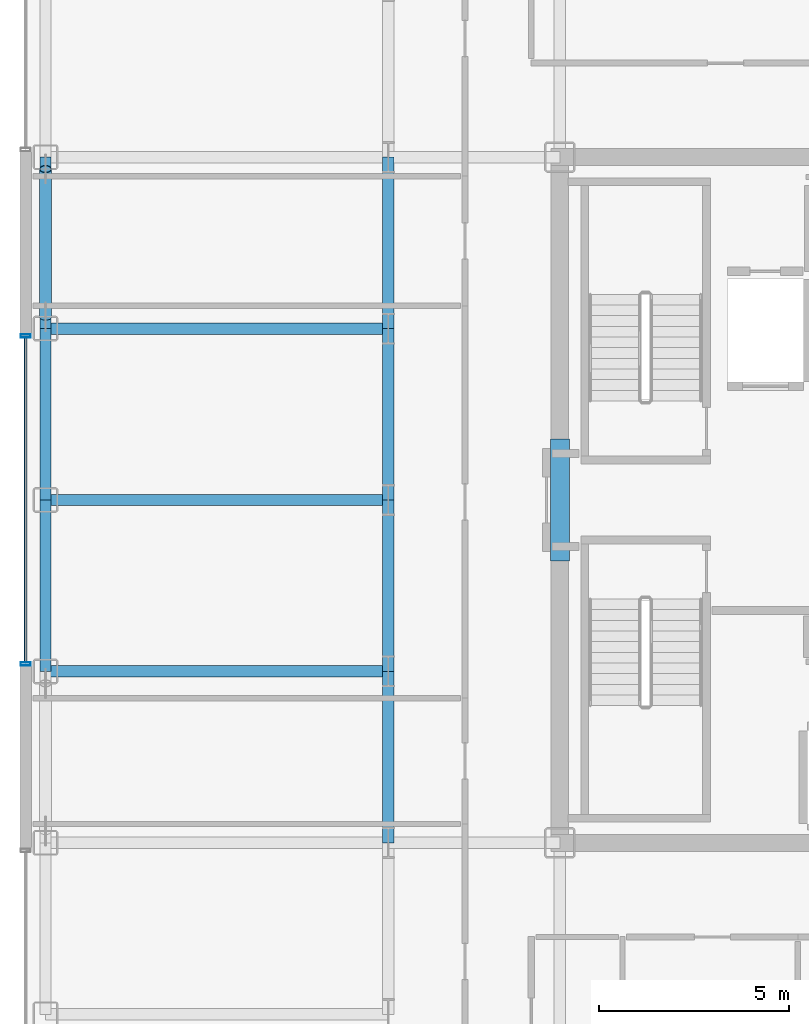
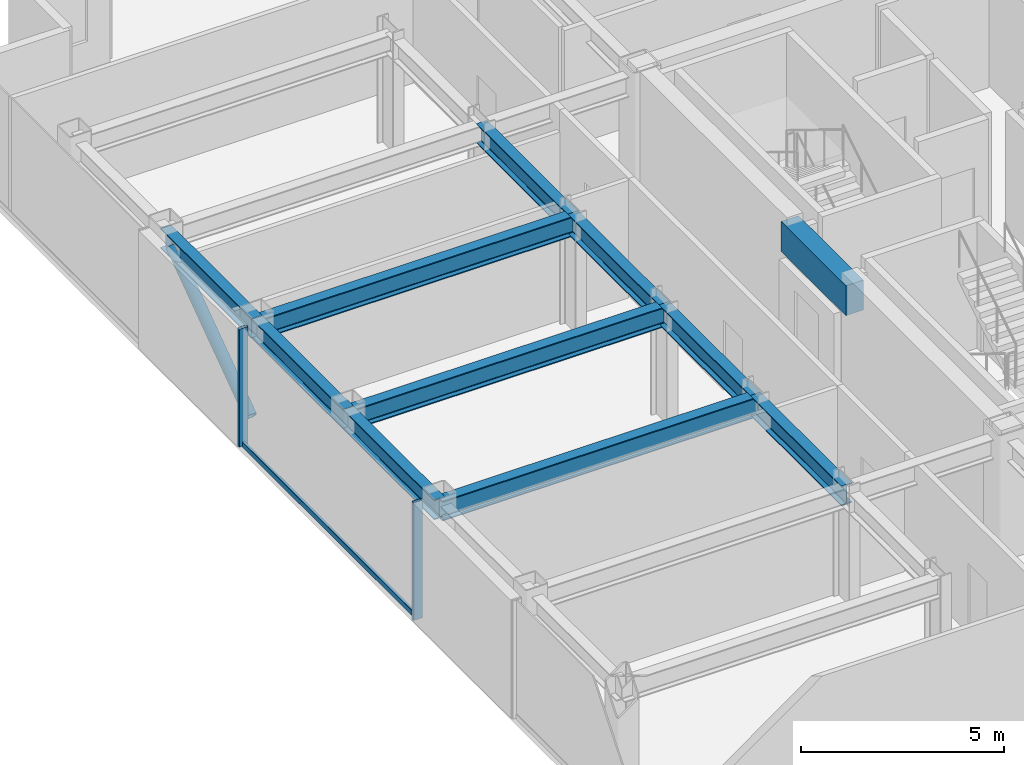
# One storey, part 5 of 21: 11 beams, 4 members, 1 element without a shape of its own.
"""IFC4 building model written with IfcOpenShell, lengths in metres."""

from ifc_helpers import new_model, si_unit, direction, frame, origin, origin_2d, place, context, subcontext, project, spatial, rectangle, hollow_rectangle, hollow_circle, i_section, extrude, source, transform, mapped, material, layer, layer_set, material_profile, profile_set, type_object, element, aggregate, save


model = new_model("IFC4")

# Units and contexts
model_context = context("Model", 3, precision=1e-05, world=origin(), true_north=direction((0.0, 1.0)))
body_context = subcontext(model_context, "Body", "Model", "MODEL_VIEW")
ifc_project = project(units=[si_unit("LENGTHUNIT", "METRE"), si_unit("AREAUNIT", "SQUARE_METRE"), si_unit("VOLUMEUNIT", "CUBIC_METRE"), si_unit("PLANEANGLEUNIT", "RADIAN"), si_unit("MASSUNIT", "GRAM", prefix="KILO")], contexts=[model_context])

# Site, building, storey
site_placement = place(None, origin())
site = spatial("IfcSite", under=ifc_project, at=site_placement, CompositionType="ELEMENT")
building_placement = place(site_placement, origin())
building = spatial("IfcBuilding", under=site, at=building_placement, Name="Nefas-Gora Pilgrimage Tower", CompositionType="ELEMENT")
storey_placement = place(building_placement, frame((0.0, 0.0, 229.39990234375)))
storey = spatial("IfcBuildingStorey", under=building, at=storey_placement, Name="L57", CompositionType="ELEMENT", Elevation=229.39990234375)

# Beams
ifc_material_1 = material(Name="Concrete C50/60", Category="concrete")
ifc_material_profile_1 = material_profile(ifc_material_1, rectangle(XDim=0.5, YDim=0.89990234375, at=origin_2d()), Name="RC 500x900")
ifc_profile_set_1 = profile_set([ifc_material_profile_1], Name="Concrete C50/60")
beam_type_1 = type_object("IfcBeamType", Name="BM-LIN-RC900", PredefinedType="LINTEL", material=ifc_profile_set_1)
shared_shape_1 = source(origin(), body_context, "Body", "SweptSolid", [
    extrude(rectangle(XDim=0.5, YDim=0.89990234375, at=origin_2d()), origin(), (0.0, 0.0, 1.0), 3.2001953125),
])
beam_placement = place(storey_placement, frame((-11.25, -1.60009765625, 3.10009765625), z_axis=(0.0, 1.0, 0.0), x_axis=(-1.0, 0.0, 0.0)))
element("IfcBeam", 1, at=beam_placement, inside=storey, type_object=beam_type_1, Name="L57 Core Coupling Lintel Beam W", PredefinedType="LINTEL", context=body_context, shape_type="MappedRepresentation", body=[
    mapped(shared_shape_1, transform((0.0, 0.0, 0.0), x_axis=(1.0, 0.0, 0.0), y_axis=(0.0, 1.0, 0.0), z_axis=(0.0, 0.0, 1.0), scale=1.0)),
])
ifc_material_2 = material(Name="Steel S355", Category="steel")
ifc_material_profile_2 = material_profile(ifc_material_2, i_section(OverallWidth=0.300048828125, OverallDepth=0.60009765625, WebThickness=0.015380859375, FlangeThickness=0.030029296875, FilletRadius=0.027099609375, at=origin_2d()), Name="HEB 600")
ifc_profile_set_2 = profile_set([ifc_material_profile_2], Name="Steel S355")
beam_type_2 = type_object("IfcBeamType", Name="BM-SPN-HEB450", PredefinedType="SPANDREL", material=ifc_profile_set_2)
shared_shape_2 = source(origin(), body_context, "Body", "SweptSolid", [
    extrude(i_section(OverallWidth=0.300048828125, OverallDepth=0.60009765625, WebThickness=0.015380859375, FlangeThickness=0.030029296875, FilletRadius=0.027099609375, at=origin_2d()), origin(), (0.0, 0.0, 1.0), 4.5),
])
for number, where, z_axis, x_axis, name in (
    (2, (-24.75, -4.5, 3.25), (0.0, 1.0, 0.0), (-1.0, 0.0, 0.0), "L57 SP-03 beam"),
    (3, (-24.75, 0.0, 3.25), (0.0, 1.0, 0.0), (-1.0, 0.0, 0.0), "L57 SP-03 beam"),
    (4, (-24.75, 4.5, 3.25), (0.0, 1.0, 0.0), (-1.0, 0.0, 0.0), "L57 SP-03 beam"),
):
    element("IfcBeam", number, at=place(storey_placement, frame(where, z_axis=z_axis, x_axis=x_axis)), inside=storey, type_object=beam_type_2, Name=name, PredefinedType="SPANDREL", context=body_context, shape_type="MappedRepresentation", body=[
        mapped(shared_shape_2, transform((0.0, 0.0, 0.0), x_axis=(1.0, 0.0, 0.0), y_axis=(0.0, 1.0, 0.0), z_axis=(0.0, 0.0, 1.0), scale=1.0)),
    ])
ifc_material_profile_3 = material_profile(ifc_material_2, i_section(OverallWidth=0.300048828125, OverallDepth=0.60009765625, WebThickness=0.015380859375, FlangeThickness=0.030029296875, FilletRadius=0.027099609375, at=origin_2d()), Name="HEB 600")
ifc_profile_set_3 = profile_set([ifc_material_profile_3], Name="Steel S355")
beam_type_3 = type_object("IfcBeamType", Name="BM-GIR-HEB600", PredefinedType="BEAM", material=ifc_profile_set_3)
shared_shape_3 = source(origin(), body_context, "Body", "SweptSolid", [
    extrude(i_section(OverallWidth=0.300048828125, OverallDepth=0.60009765625, WebThickness=0.015380859375, FlangeThickness=0.030029296875, FilletRadius=0.027099609375, at=origin_2d()), origin(), (0.0, 0.0, 1.0), 9.0),
])
for number, where, z_axis, x_axis, name in (
    (5, (-24.75, -4.5, 3.25), (1.0, 0.0, 0.0), (0.0, 1.0, 0.0), "L57 G-04 beam"),
    (6, (-24.75, 0.0, 3.25), (1.0, 0.0, 0.0), (0.0, 1.0, 0.0), "L57 G-04 beam"),
    (7, (-24.75, 4.5, 3.25), (1.0, 0.0, 0.0), (0.0, 1.0, 0.0), "L57 G-04 beam"),
):
    element("IfcBeam", number, at=place(storey_placement, frame(where, z_axis=z_axis, x_axis=x_axis)), inside=storey, type_object=beam_type_3, Name=name, PredefinedType="BEAM", context=body_context, shape_type="MappedRepresentation", body=[
        mapped(shared_shape_3, transform((0.0, 0.0, 0.0), x_axis=(1.0, 0.0, 0.0), y_axis=(0.0, 1.0, 0.0), z_axis=(0.0, 0.0, 1.0), scale=1.0)),
    ])
shared_shape_4 = source(origin(), body_context, "Body", "SweptSolid", [
    extrude(i_section(OverallWidth=0.300048828125, OverallDepth=0.60009765625, WebThickness=0.015380859375, FlangeThickness=0.030029296875, FilletRadius=0.027099609375, at=origin_2d()), origin(), (0.0, 0.0, 1.0), 4.5),
])
for number, where, z_axis, x_axis, name in (
    (8, (-15.75, -9.0, 3.25), (0.0, 1.0, 0.0), (-1.0, 0.0, 0.0), "L57 G-04 beam"),
    (9, (-15.75, -4.5, 3.25), (0.0, 1.0, 0.0), (-1.0, 0.0, 0.0), "L57 G-04 beam"),
    (10, (-15.75, 0.0, 3.25), (0.0, 1.0, 0.0), (-1.0, 0.0, 0.0), "L57 G-04 beam"),
    (11, (-15.75, 4.5, 3.25), (0.0, 1.0, 0.0), (-1.0, 0.0, 0.0), "L57 G-04 beam"),
):
    element("IfcBeam", number, at=place(storey_placement, frame(where, z_axis=z_axis, x_axis=x_axis)), inside=storey, type_object=beam_type_3, Name=name, PredefinedType="BEAM", context=body_context, shape_type="MappedRepresentation", body=[
        mapped(shared_shape_4, transform((0.0, 0.0, 0.0), x_axis=(1.0, 0.0, 0.0), y_axis=(0.0, 1.0, 0.0), z_axis=(0.0, 0.0, 1.0), scale=1.0)),
    ])

# Member
ifc_material_profile_4 = material_profile(ifc_material_2, hollow_circle(Radius=0.161865234375, WallThickness=0.02001953125, at=origin_2d()), Name="CHS 323.9x20")
ifc_profile_set_4 = profile_set([ifc_material_profile_4], Name="Steel S355")
member_type_1 = type_object("IfcMemberType", Name="MEM-TUBE-324", PredefinedType="BRACE", material=ifc_profile_set_4)
shared_shape_5 = source(origin(), body_context, "Body", "SweptSolid", [
    extrude(hollow_circle(Radius=0.161865234375, WallThickness=0.02001953125, at=origin_2d()), origin(), (0.0, 0.0, 1.0), 4.763671875),
])
member_1_placement = place(storey_placement, frame((-24.75, 4.81298828125, 0.3740234375), z_axis=(0.0, 0.813255312614, 0.581907034246), x_axis=(-1.0, 0.0, 0.0)))
element("IfcMember", 12, at=member_1_placement, inside=storey, type_object=member_type_1, Name="L57 Perimeter Tube Diagonal Brace W2", PredefinedType="BRACE", context=body_context, shape_type="MappedRepresentation", body=[
    mapped(shared_shape_5, transform((0.0, 0.0, 0.0), x_axis=(1.0, 0.0, 0.0), y_axis=(0.0, 1.0, 0.0), z_axis=(0.0, 0.0, 1.0), scale=1.0)),
])

# Curtain wall, members
ifc_material_3 = material(Name="Dark ceramic-fritted solar-control aluminium-glass curtain wall", Category="aluminium")
ifc_layer = layer(ifc_material_3, 0.219970703125)
ifc_layer_set = layer_set([ifc_layer], Name="Dark ceramic-fritted solar-control aluminium-glass curtain wall")
curtain_wall_type = type_object("IfcCurtainWallType", Name="CW-SYS-3", PredefinedType="NOTDEFINED", material=ifc_layer_set)
curtain_wall_placement = place(storey_placement, origin())
curtain_wall = element("IfcCurtainWall", 13, at=curtain_wall_placement, inside=storey, type_object=curtain_wall_type, Name="L57 Unitised Curtain Wall CW3", PredefinedType="NOTDEFINED")
ifc_material_4 = material(Name="Anodised architectural aluminium", Category="aluminium")
ifc_material_profile_5 = material_profile(ifc_material_4, hollow_rectangle(XDim=0.090087890625, YDim=0.260009765625, WallThickness=0.006103515625, InnerFilletRadius=0.006103515625, OuterFilletRadius=0.011962890625, at=origin_2d()), Name="ALU MULLION 90x260")
ifc_profile_set_5 = profile_set([ifc_material_profile_5], Name="Anodised architectural aluminium")
member_type_2 = type_object("IfcMemberType", Name="CWM-MUL-3", PredefinedType="MULLION", material=ifc_profile_set_5)
shared_shape_6 = source(origin(), body_context, "Body", "SweptSolid", [
    extrude(hollow_rectangle(XDim=0.090087890625, YDim=0.260009765625, WallThickness=0.006103515625, InnerFilletRadius=0.006103515625, OuterFilletRadius=0.011962890625, at=origin_2d()), origin(), (0.0, 0.0, 1.0), 3.550048828125),
])
member_2_placement = place(storey_placement, frame((-25.27001953125, 4.304931640625, 0.0), z_axis=(0.0, 0.0, 1.0), x_axis=(0.0, -1.0, 0.0)))
member_2 = element("IfcMember", 14, at=member_2_placement, type_object=member_type_2, Name="CW3 Mullion 1", PredefinedType="MULLION", context=body_context, shape_type="MappedRepresentation", body=[
    mapped(shared_shape_6, transform((0.0, 0.0, 0.0), x_axis=(1.0, 0.0, 0.0), y_axis=(0.0, 1.0, 0.0), z_axis=(0.0, 0.0, 1.0), scale=1.0)),
])
member_3_placement = place(storey_placement, frame((-25.27001953125, -4.304931640625, 0.0), z_axis=(0.0, 0.0, 1.0), x_axis=(0.0, -1.0, 0.0)))
member_3 = element("IfcMember", 15, at=member_3_placement, type_object=member_type_2, Name="CW3 Mullion 2", PredefinedType="MULLION", context=body_context, shape_type="MappedRepresentation", body=[
    mapped(shared_shape_6, transform((0.0, 0.0, 0.0), x_axis=(1.0, 0.0, 0.0), y_axis=(0.0, 1.0, 0.0), z_axis=(0.0, 0.0, 1.0), scale=1.0)),
])
ifc_material_profile_6 = material_profile(ifc_material_4, hollow_rectangle(XDim=0.080078125, YDim=0.159912109375, WallThickness=0.00439453125, InnerFilletRadius=0.00439453125, OuterFilletRadius=0.009033203125, at=origin_2d()), Name="ALU TRANSOM 80x160")
ifc_profile_set_6 = profile_set([ifc_material_profile_6], Name="Anodised architectural aluminium")
member_type_3 = type_object("IfcMemberType", Name="CWM-TRN-3", PredefinedType="USERDEFINED", material=ifc_profile_set_6)
shared_shape_7 = source(origin(), body_context, "Body", "SweptSolid", [
    extrude(hollow_rectangle(XDim=0.080078125, YDim=0.159912109375, WallThickness=0.00439453125, InnerFilletRadius=0.00439453125, OuterFilletRadius=0.009033203125, at=origin_2d()), origin(), (0.0, 0.0, 1.0), 8.52001953125),
])
member_4_placement = place(storey_placement, frame((-25.27001953125, 4.260009765625, 0.050048828125), z_axis=(0.0, -1.0, 0.0), x_axis=(1.0, 0.0, 0.0)))
member_4 = element("IfcMember", 16, at=member_4_placement, type_object=member_type_3, Name="CW3 Spandrel Transom", ObjectType="TRANSOM", PredefinedType="USERDEFINED", context=body_context, shape_type="MappedRepresentation", body=[
    mapped(shared_shape_7, transform((0.0, 0.0, 0.0), x_axis=(1.0, 0.0, 0.0), y_axis=(0.0, 1.0, 0.0), z_axis=(0.0, 0.0, 1.0), scale=1.0)),
])
aggregate(curtain_wall, [member_2, member_3, member_4])

save(model, "model.ifc")
